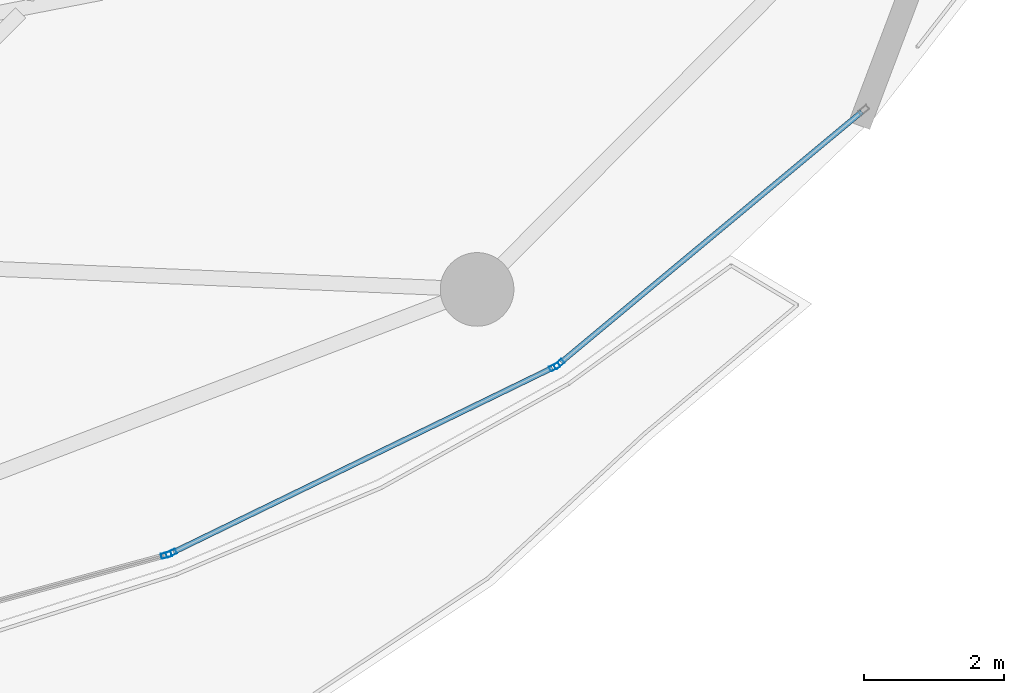
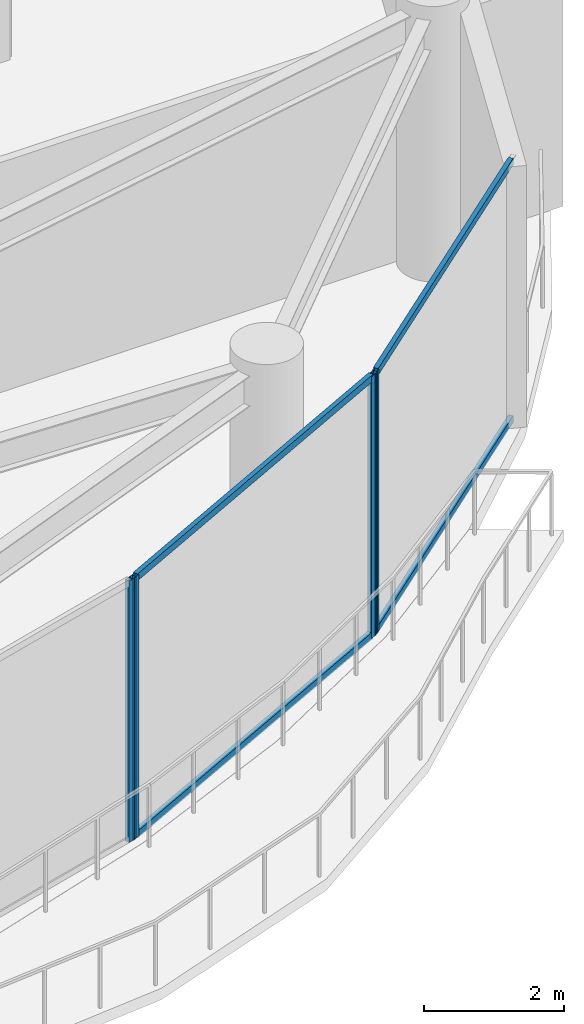
# One storey, part 12 of 28: 8 members, 3 elements without a shape of their own.
"""IFC4 building model written with IfcOpenShell, lengths in metres."""

from ifc_helpers import new_model, si_unit, direction, frame, origin, origin_2d, place, context, subcontext, project, spatial, hollow_rectangle, extrude, material, layer, layer_set, material_profile, profile_set, type_object, element, aggregate, save


model = new_model("IFC4")

# Units and contexts
model_context = context("Model", 3, precision=1e-05, world=origin(), true_north=direction((0.0, 1.0)))
body_context = subcontext(model_context, "Body", "Model", "MODEL_VIEW")
ifc_project = project(units=[si_unit("LENGTHUNIT", "METRE"), si_unit("AREAUNIT", "SQUARE_METRE"), si_unit("VOLUMEUNIT", "CUBIC_METRE"), si_unit("PLANEANGLEUNIT", "RADIAN"), si_unit("MASSUNIT", "GRAM", prefix="KILO")], contexts=[model_context])

# Site, building, storey
site_placement = place(None, origin())
site = spatial("IfcSite", under=ifc_project, at=site_placement, CompositionType="ELEMENT")
building_placement = place(site_placement, origin())
building = spatial("IfcBuilding", under=site, at=building_placement, Name="Kazevale Care Tower and Concert Hall", CompositionType="ELEMENT")
storey_placement = place(building_placement, frame((0.0, 0.0, 190.800048828125)))
storey = spatial("IfcBuildingStorey", under=building, at=storey_placement, Name="L50", CompositionType="ELEMENT", Elevation=190.800048828125)

# Curtain wall, member
ifc_material_1 = material(Name="Aluminium 6063-T6 and Low-E Glass", Category="aluminium")
ifc_layer = layer(ifc_material_1, 0.179931640625)
ifc_layer_set = layer_set([ifc_layer], Name="Aluminium 6063-T6 and Low-E Glass")
curtain_wall_type = type_object("IfcCurtainWallType", Name="Sheltered Concave Balcony Curtain Wall CW-5", PredefinedType="NOTDEFINED", material=ifc_layer_set)
curtain_wall_1_placement = place(storey_placement, origin())
curtain_wall_1 = element("IfcCurtainWall", 1, at=curtain_wall_1_placement, inside=storey, type_object=curtain_wall_type, Name="cw:L50:f02", PredefinedType="NOTDEFINED")
ifc_material_2 = material(Name="Aluminium 6063-T6", Category="aluminium")
ifc_material_profile_1 = material_profile(ifc_material_2, hollow_rectangle(XDim=0.074951171875, YDim=0.14990234375, WallThickness=0.00390625, at=origin_2d()), Name="ALU75x150x4")
ifc_profile_set_1 = profile_set([ifc_material_profile_1], Name="Aluminium 6063-T6")
member_type_1 = type_object("IfcMemberType", Name="CW-5 Mullion ALU75x150x4", PredefinedType="MULLION", material=ifc_profile_set_1)
member_1_placement = place(storey_placement, frame((67.417724609375, 21.5869140625, 0.0), z_axis=(0.0, 0.0, 1.0), x_axis=(0.639961217204, -0.768407210062, 0.0)))
member_1 = element("IfcMember", 2, at=member_1_placement, type_object=member_type_1, Name="CW-5 mullion 2", PredefinedType="MULLION", context=body_context, shape_type="SweptSolid", body=[
    extrude(hollow_rectangle(XDim=0.074951171875, YDim=0.14990234375, WallThickness=0.00390625, at=origin_2d()), origin(), (0.0, 0.0, 1.0), 4.56005859375),
])

# Curtain wall, members
curtain_wall_2_placement = place(storey_placement, origin())
curtain_wall_2 = element("IfcCurtainWall", 3, at=curtain_wall_2_placement, inside=storey, type_object=curtain_wall_type, Name="cw:L50:f03", PredefinedType="NOTDEFINED")
member_2_placement = place(storey_placement, frame((67.355224609375, 21.546630859375, 0.0), z_axis=(0.0, 0.0, 1.0), x_axis=(0.437238357087, -0.89934566163, 0.0)))
member_2 = element("IfcMember", 4, at=member_2_placement, type_object=member_type_1, Name="CW-5 mullion 1", PredefinedType="MULLION", context=body_context, shape_type="SweptSolid", body=[
    extrude(hollow_rectangle(XDim=0.074951171875, YDim=0.14990234375, WallThickness=0.00390625, at=origin_2d()), origin(), (0.0, 0.0, 1.0), 4.56005859375),
])
member_3_placement = place(storey_placement, frame((61.8896484375, 18.889404296875, 0.0), z_axis=(0.0, 0.0, 1.0), x_axis=(0.437238357087, -0.89934566163, 0.0)))
member_3 = element("IfcMember", 5, at=member_3_placement, type_object=member_type_1, Name="CW-5 mullion 2", PredefinedType="MULLION", context=body_context, shape_type="SweptSolid", body=[
    extrude(hollow_rectangle(XDim=0.074951171875, YDim=0.14990234375, WallThickness=0.00390625, at=origin_2d()), origin(), (0.0, 0.0, 1.0), 4.56005859375),
])

# Curtain wall, member
curtain_wall_3_placement = place(storey_placement, origin())
curtain_wall_3 = element("IfcCurtainWall", 6, at=curtain_wall_3_placement, inside=storey, type_object=curtain_wall_type, Name="cw:L50:f04", PredefinedType="NOTDEFINED")
member_4_placement = place(storey_placement, frame((61.81982421875, 18.863037109375, 0.0), z_axis=(0.0, 0.0, 1.0), x_axis=(0.262848968947, -0.964836991167, 0.0)))
member_4 = element("IfcMember", 7, at=member_4_placement, type_object=member_type_1, Name="CW-5 mullion 1", PredefinedType="MULLION", context=body_context, shape_type="SweptSolid", body=[
    extrude(hollow_rectangle(XDim=0.074951171875, YDim=0.14990234375, WallThickness=0.00390625, at=origin_2d()), origin(), (0.0, 0.0, 1.0), 4.56005859375),
])
aggregate(curtain_wall_3, [member_4])

# Member
ifc_material_profile_2 = material_profile(ifc_material_2, hollow_rectangle(XDim=0.074951171875, YDim=0.1201171875, WallThickness=0.00390625, at=origin_2d()), Name="ALU75x120x4")
ifc_profile_set_2 = profile_set([ifc_material_profile_2], Name="Aluminium 6063-T6")
member_type_2 = type_object("IfcMemberType", Name="CW-5 Transom ALU75x120x4", PredefinedType="USERDEFINED", material=ifc_profile_set_2)
member_5_placement = place(storey_placement, frame((71.734375, 25.181884765625, 0.037353515625), z_axis=(-0.768432829708, -0.639930454211, 0.0), x_axis=(0.639930454211, -0.768432829708, 0.0)))
member_5 = element("IfcMember", 8, at=member_5_placement, type_object=member_type_2, Name="CW-5 transom 1.1", ObjectType="TRANSOM", PredefinedType="USERDEFINED", context=body_context, shape_type="SweptSolid", body=[
    extrude(hollow_rectangle(XDim=0.074951171875, YDim=0.1201171875, WallThickness=0.00390625, at=origin_2d()), origin(), (0.0, 0.0, 1.0), 5.580078125),
])

member_6_placement = place(storey_placement, frame((71.734375, 25.181884765625, 4.5224609375), z_axis=(-0.768432829708, -0.639930454211, 0.0), x_axis=(0.639930454211, -0.768432829708, 0.0)))
member_6 = element("IfcMember", 9, at=member_6_placement, type_object=member_type_2, Name="CW-5 transom 1.2", ObjectType="TRANSOM", PredefinedType="USERDEFINED", context=body_context, shape_type="SweptSolid", body=[
    extrude(hollow_rectangle(XDim=0.074951171875, YDim=0.1201171875, WallThickness=0.00390625, at=origin_2d()), origin(), (0.0, 0.0, 1.0), 5.580078125),
])

aggregate(curtain_wall_1, [member_1, member_5, member_6])

member_7_placement = place(storey_placement, frame((67.321533203125, 21.5302734375, 0.037353515625), z_axis=(-0.899342308406, -0.437245254189, 0.0), x_axis=(0.437245254189, -0.899342308406, 0.0)))
member_7 = element("IfcMember", 10, at=member_7_placement, type_object=member_type_2, Name="CW-5 transom 1.1", ObjectType="TRANSOM", PredefinedType="USERDEFINED", context=body_context, shape_type="SweptSolid", body=[
    extrude(hollow_rectangle(XDim=0.074951171875, YDim=0.1201171875, WallThickness=0.00390625, at=origin_2d()), origin(), (0.0, 0.0, 1.0), 6.00244140625),
])

member_8_placement = place(storey_placement, frame((67.321533203125, 21.5302734375, 4.5224609375), z_axis=(-0.899342308406, -0.437245254189, 0.0), x_axis=(0.437245254189, -0.899342308406, 0.0)))
member_8 = element("IfcMember", 11, at=member_8_placement, type_object=member_type_2, Name="CW-5 transom 1.2", ObjectType="TRANSOM", PredefinedType="USERDEFINED", context=body_context, shape_type="SweptSolid", body=[
    extrude(hollow_rectangle(XDim=0.074951171875, YDim=0.1201171875, WallThickness=0.00390625, at=origin_2d()), origin(), (0.0, 0.0, 1.0), 6.00244140625),
])

aggregate(curtain_wall_2, [member_2, member_3, member_7, member_8])

save(model, "model.ifc")
